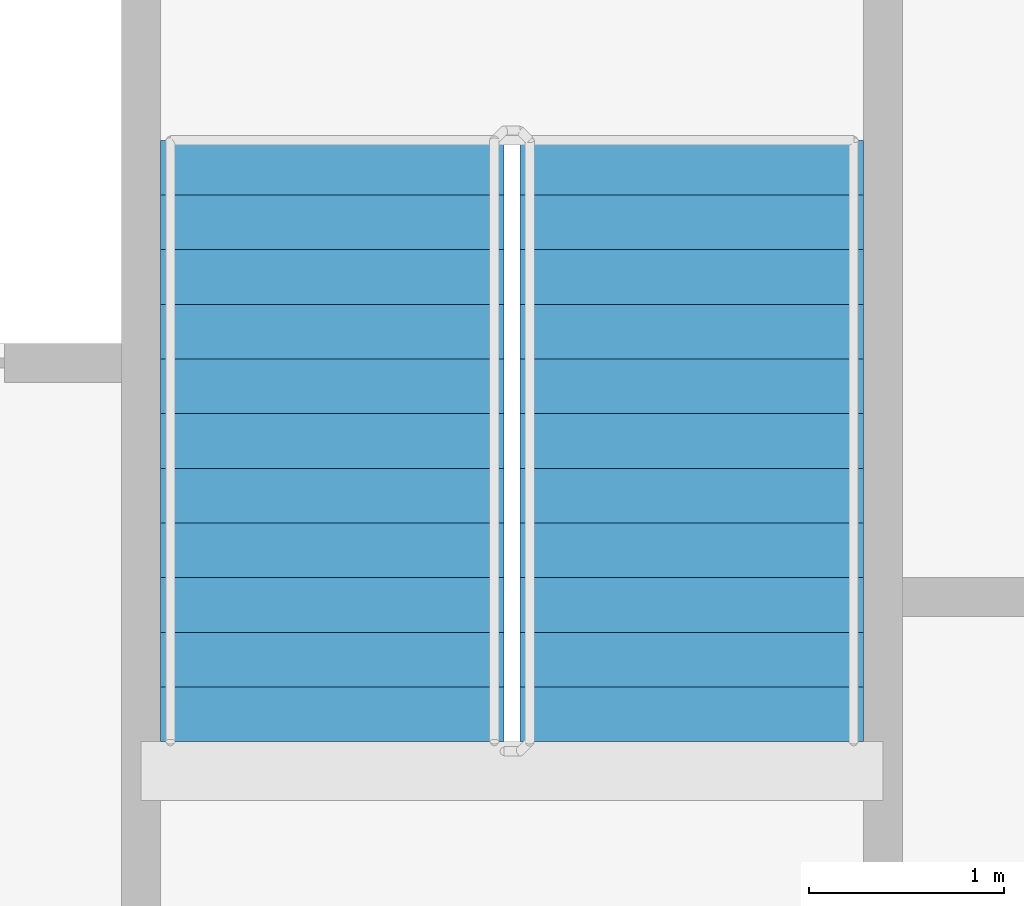
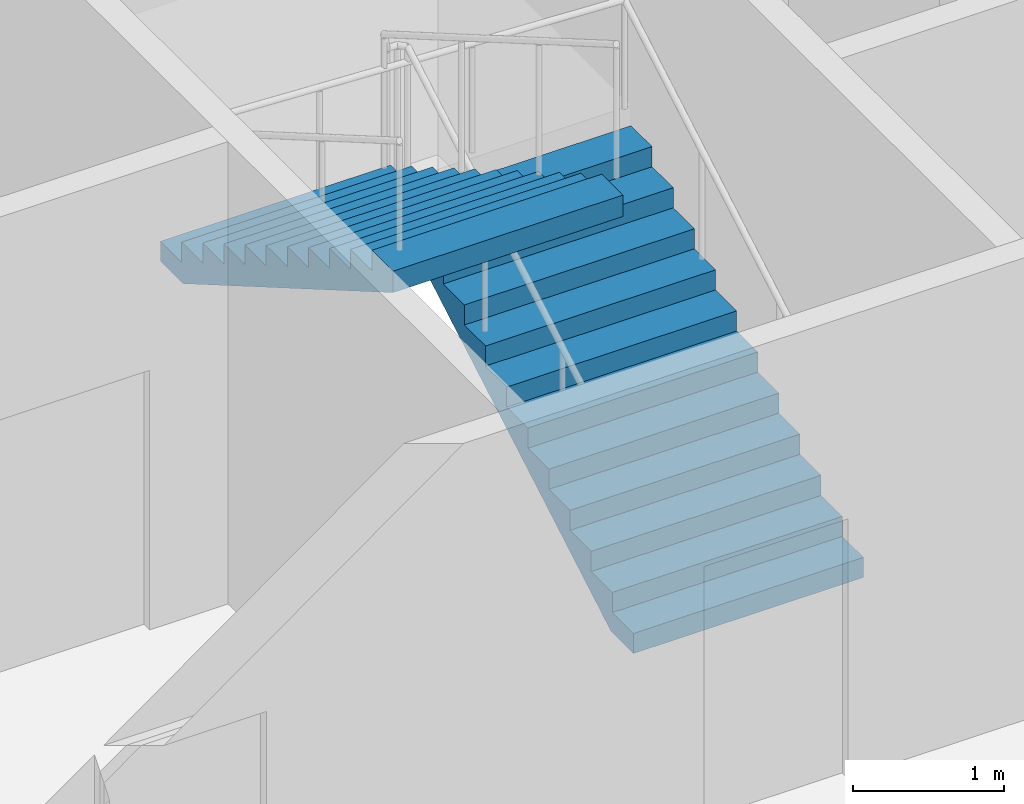
# One storey, part 17 of 22: 2 stair flights, 1 element without a shape of its own.
"""IFC4 building model written with IfcOpenShell, lengths in metres."""

from ifc_helpers import new_model, si_unit, direction, frame, origin, place, context, subcontext, project, spatial, faceted_brep, material, type_object, element, aggregate, save


model = new_model("IFC4")

# Units and contexts
model_context = context("Model", 3, precision=1e-05, world=origin(), true_north=direction((0.0, 1.0)))
body_context = subcontext(model_context, "Body", "Model", "MODEL_VIEW")
ifc_project = project(units=[si_unit("LENGTHUNIT", "METRE"), si_unit("AREAUNIT", "SQUARE_METRE"), si_unit("VOLUMEUNIT", "CUBIC_METRE"), si_unit("PLANEANGLEUNIT", "RADIAN"), si_unit("MASSUNIT", "GRAM", prefix="KILO")], contexts=[model_context])

# Site, building, storey
site_placement = place(None, origin())
site = spatial("IfcSite", under=ifc_project, at=site_placement, CompositionType="ELEMENT")
building_placement = place(site_placement, origin())
building = spatial("IfcBuilding", under=site, at=building_placement, Name="Tarsis Ring Headquarters", CompositionType="ELEMENT")
storey_placement = place(building_placement, frame((0.0, 0.0, 40.0)))
storey = spatial("IfcBuildingStorey", under=building, at=storey_placement, Name="L07", CompositionType="ELEMENT", Elevation=40.0)

# Stair, stair flights
ifc_material_1 = material(Name="Core stair 1760")
stair_type = type_object("IfcStairType", Name="Core stair 1760", PredefinedType="HALF_TURN_STAIR", material=ifc_material_1)
stair_placement = place(storey_placement, origin())
stair = element("IfcStair", 1, at=stair_placement, inside=storey, type_object=stair_type, Name="L07 Exit stair B", PredefinedType="HALF_TURN_STAIR")
ifc_material_2 = material(Name="Concrete C40/50", Category="concrete")
stair_flight_type = type_object("IfcStairFlightType", Name="Core stair flight 1760", PredefinedType="STRAIGHT", material=ifc_material_2)
stair_flight_1_placement = place(storey_placement, frame((5.419921875, 3.659912109375, 0.0), z_axis=(0.0, 0.0, 1.0), x_axis=(0.0, 1.0, 0.0)))
stair_flight_1 = element("IfcStairFlight", 2, at=stair_flight_1_placement, type_object=stair_flight_type, Name="Stair ST2 flight 1", NumberOfRisers=12, NumberOfTreads=11, PredefinedType="STRAIGHT", RiserHeight=0.1625, TreadLength=0.28, context=body_context, shape_type="Brep", body=[
    faceted_brep([(0.0, 0.8798828125, 0.0), (0.0, 0.8798828125, 0.16259765625), (0.280029296875, 0.8798828125, 0.16259765625), (0.280029296875, 0.8798828125, 0.324951171875), (0.56005859375, 0.8798828125, 0.324951171875), (0.56005859375, 0.8798828125, 0.487548828125), (0.840087890625, 0.8798828125, 0.487548828125), (0.840087890625, 0.8798828125, 0.64990234375), (1.1201171875, 0.8798828125, 0.64990234375), (1.1201171875, 0.8798828125, 0.8125), (1.39990234375, 0.8798828125, 0.8125), (1.39990234375, 0.8798828125, 0.97509765625), (1.679931640625, 0.8798828125, 0.97509765625), (1.679931640625, 0.8798828125, 1.137451171875), (1.9599609375, 0.8798828125, 1.137451171875), (1.9599609375, 0.8798828125, 1.300048828125), (2.239990234375, 0.8798828125, 1.300048828125), (2.239990234375, 0.8798828125, 1.46240234375), (2.52001953125, 0.8798828125, 1.46240234375), (2.52001953125, 0.8798828125, 1.625), (2.800048828125, 0.8798828125, 1.625), (2.800048828125, 0.8798828125, 1.78759765625), (3.080078125, 0.8798828125, 1.78759765625), (3.080078125, 0.8798828125, 1.6142578125), (0.298583984375, 0.8798828125, 0.0), (0.298583984375, -0.8798828125, 0.0), (3.080078125, -0.8798828125, 1.6142578125), (3.080078125, -0.8798828125, 1.78759765625), (2.800048828125, -0.8798828125, 1.78759765625), (2.800048828125, -0.8798828125, 1.625), (2.52001953125, -0.8798828125, 1.625), (2.52001953125, -0.8798828125, 1.46240234375), (2.239990234375, -0.8798828125, 1.46240234375), (2.239990234375, -0.8798828125, 1.300048828125), (1.9599609375, -0.8798828125, 1.300048828125), (1.9599609375, -0.8798828125, 1.137451171875), (1.679931640625, -0.8798828125, 1.137451171875), (1.679931640625, -0.8798828125, 0.97509765625), (1.39990234375, -0.8798828125, 0.97509765625), (1.39990234375, -0.8798828125, 0.8125), (1.1201171875, -0.8798828125, 0.8125), (1.1201171875, -0.8798828125, 0.64990234375), (0.840087890625, -0.8798828125, 0.64990234375), (0.840087890625, -0.8798828125, 0.487548828125), (0.56005859375, -0.8798828125, 0.487548828125), (0.56005859375, -0.8798828125, 0.324951171875), (0.280029296875, -0.8798828125, 0.324951171875), (0.280029296875, -0.8798828125, 0.16259765625), (0.0, -0.8798828125, 0.16259765625), (0.0, -0.8798828125, 0.0), (0.0, -0.43994140625, 0.16259765625), (0.0, -0.43994140625, 0.0), (0.0, 0.0, 0.16259765625), (0.0, 0.0, 0.0), (0.0, 0.43994140625, 0.16259765625), (0.0, 0.43994140625, 0.0), (0.280029296875, -0.43994140625, 0.16259765625), (0.280029296875, 0.0, 0.16259765625), (0.280029296875, 0.43994140625, 0.16259765625), (0.280029296875, -0.43994140625, 0.324951171875), (0.280029296875, 0.0, 0.324951171875), (0.280029296875, 0.43994140625, 0.324951171875), (0.56005859375, -0.43994140625, 0.324951171875), (0.56005859375, 0.0, 0.324951171875), (0.56005859375, 0.43994140625, 0.324951171875), (0.56005859375, -0.43994140625, 0.487548828125), (0.56005859375, 0.0, 0.487548828125), (0.56005859375, 0.43994140625, 0.487548828125), (0.840087890625, -0.43994140625, 0.487548828125), (0.840087890625, 0.0, 0.487548828125), (0.840087890625, 0.43994140625, 0.487548828125), (0.840087890625, -0.43994140625, 0.64990234375), (0.840087890625, 0.0, 0.64990234375), (0.840087890625, 0.43994140625, 0.64990234375), (1.1201171875, -0.43994140625, 0.64990234375), (1.1201171875, 0.0, 0.64990234375), (1.1201171875, 0.43994140625, 0.64990234375), (1.1201171875, -0.43994140625, 0.8125), (1.1201171875, 0.0, 0.8125), (1.1201171875, 0.43994140625, 0.8125), (1.39990234375, -0.43994140625, 0.8125), (1.39990234375, 0.0, 0.8125), (1.39990234375, 0.43994140625, 0.8125), (1.39990234375, -0.43994140625, 0.97509765625), (1.39990234375, 0.0, 0.97509765625), (1.39990234375, 0.43994140625, 0.97509765625), (1.679931640625, -0.43994140625, 0.97509765625), (1.679931640625, 0.0, 0.97509765625), (1.679931640625, 0.43994140625, 0.97509765625), (1.679931640625, -0.43994140625, 1.137451171875), (1.679931640625, 0.0, 1.137451171875), (1.679931640625, 0.43994140625, 1.137451171875), (1.9599609375, -0.43994140625, 1.137451171875), (1.9599609375, 0.0, 1.137451171875), (1.9599609375, 0.43994140625, 1.137451171875), (1.9599609375, -0.43994140625, 1.300048828125), (1.9599609375, 0.0, 1.300048828125), (1.9599609375, 0.43994140625, 1.300048828125), (2.239990234375, -0.43994140625, 1.300048828125), (2.239990234375, 0.0, 1.300048828125), (2.239990234375, 0.43994140625, 1.300048828125), (2.239990234375, -0.43994140625, 1.46240234375), (2.239990234375, 0.0, 1.46240234375), (2.239990234375, 0.43994140625, 1.46240234375), (2.52001953125, -0.43994140625, 1.46240234375), (2.52001953125, 0.0, 1.46240234375), (2.52001953125, 0.43994140625, 1.46240234375), (2.52001953125, -0.43994140625, 1.625), (2.52001953125, 0.0, 1.625), (2.52001953125, 0.43994140625, 1.625), (2.800048828125, -0.43994140625, 1.625), (2.800048828125, 0.0, 1.625), (2.800048828125, 0.43994140625, 1.625), (2.800048828125, -0.43994140625, 1.78759765625), (2.800048828125, 0.0, 1.78759765625), (2.800048828125, 0.43994140625, 1.78759765625), (3.080078125, -0.43994140625, 1.78759765625), (3.080078125, 0.0, 1.78759765625), (3.080078125, 0.43994140625, 1.78759765625), (3.080078125, -0.43994140625, 1.6142578125), (3.080078125, 0.0, 1.6142578125), (3.080078125, 0.43994140625, 1.6142578125), (0.298583984375, -0.43994140625, 0.0), (0.298583984375, 0.0, 0.0), (0.298583984375, 0.43994140625, 0.0)], [[[0, 1, 2, 3, 4, 5, 6, 7, 8, 9, 10, 11, 12, 13, 14, 15, 16, 17, 18, 19, 20, 21, 22, 23, 24]], [[25, 26, 27, 28, 29, 30, 31, 32, 33, 34, 35, 36, 37, 38, 39, 40, 41, 42, 43, 44, 45, 46, 47, 48, 49]], [[49, 48, 50, 51]], [[51, 50, 52, 53]], [[53, 52, 54, 55]], [[55, 54, 1, 0]], [[48, 47, 56, 50]], [[50, 56, 57, 52]], [[52, 57, 58, 54]], [[54, 58, 2, 1]], [[47, 46, 59, 56]], [[56, 59, 60, 57]], [[57, 60, 61, 58]], [[58, 61, 3, 2]], [[46, 45, 62, 59]], [[59, 62, 63, 60]], [[60, 63, 64, 61]], [[61, 64, 4, 3]], [[45, 44, 65, 62]], [[62, 65, 66, 63]], [[63, 66, 67, 64]], [[64, 67, 5, 4]], [[44, 43, 68, 65]], [[65, 68, 69, 66]], [[66, 69, 70, 67]], [[67, 70, 6, 5]], [[43, 42, 71, 68]], [[68, 71, 72, 69]], [[69, 72, 73, 70]], [[70, 73, 7, 6]], [[42, 41, 74, 71]], [[71, 74, 75, 72]], [[72, 75, 76, 73]], [[73, 76, 8, 7]], [[41, 40, 77, 74]], [[74, 77, 78, 75]], [[75, 78, 79, 76]], [[76, 79, 9, 8]], [[40, 39, 80, 77]], [[77, 80, 81, 78]], [[78, 81, 82, 79]], [[79, 82, 10, 9]], [[39, 38, 83, 80]], [[80, 83, 84, 81]], [[81, 84, 85, 82]], [[82, 85, 11, 10]], [[38, 37, 86, 83]], [[83, 86, 87, 84]], [[84, 87, 88, 85]], [[85, 88, 12, 11]], [[37, 36, 89, 86]], [[86, 89, 90, 87]], [[87, 90, 91, 88]], [[88, 91, 13, 12]], [[36, 35, 92, 89]], [[89, 92, 93, 90]], [[90, 93, 94, 91]], [[91, 94, 14, 13]], [[35, 34, 95, 92]], [[92, 95, 96, 93]], [[93, 96, 97, 94]], [[94, 97, 15, 14]], [[34, 33, 98, 95]], [[95, 98, 99, 96]], [[96, 99, 100, 97]], [[97, 100, 16, 15]], [[33, 32, 101, 98]], [[98, 101, 102, 99]], [[99, 102, 103, 100]], [[100, 103, 17, 16]], [[32, 31, 104, 101]], [[101, 104, 105, 102]], [[102, 105, 106, 103]], [[103, 106, 18, 17]], [[31, 30, 107, 104]], [[104, 107, 108, 105]], [[105, 108, 109, 106]], [[106, 109, 19, 18]], [[30, 29, 110, 107]], [[107, 110, 111, 108]], [[108, 111, 112, 109]], [[109, 112, 20, 19]], [[29, 28, 113, 110]], [[110, 113, 114, 111]], [[111, 114, 115, 112]], [[112, 115, 21, 20]], [[28, 27, 116, 113]], [[113, 116, 117, 114]], [[114, 117, 118, 115]], [[115, 118, 22, 21]], [[27, 26, 119, 116]], [[116, 119, 120, 117]], [[117, 120, 121, 118]], [[118, 121, 23, 22]], [[26, 25, 122, 119]], [[119, 122, 123, 120]], [[120, 123, 124, 121]], [[121, 124, 24, 23]], [[25, 49, 51, 122]], [[122, 51, 53, 123]], [[123, 53, 55, 124]], [[124, 55, 0, 24]]]),
])
stair_flight_2_placement = place(storey_placement, frame((3.580078125, 6.739990234375, 1.949951171875), z_axis=(0.0, 0.0, 1.0), x_axis=(0.0, -1.0, 0.0)))
stair_flight_2 = element("IfcStairFlight", 3, at=stair_flight_2_placement, type_object=stair_flight_type, Name="Stair ST2 flight 2", NumberOfRisers=12, NumberOfTreads=11, PredefinedType="STRAIGHT", RiserHeight=0.1625, TreadLength=0.28, context=body_context, shape_type="Brep", body=[
    faceted_brep([(0.0, 0.8798828125, 0.0), (0.0, 0.8798828125, 0.16259765625), (0.280029296875, 0.8798828125, 0.16259765625), (0.280029296875, 0.8798828125, 0.324951171875), (0.56005859375, 0.8798828125, 0.324951171875), (0.56005859375, 0.8798828125, 0.487548828125), (0.840087890625, 0.8798828125, 0.487548828125), (0.840087890625, 0.8798828125, 0.64990234375), (1.1201171875, 0.8798828125, 0.64990234375), (1.1201171875, 0.8798828125, 0.8125), (1.39990234375, 0.8798828125, 0.8125), (1.39990234375, 0.8798828125, 0.97509765625), (1.679931640625, 0.8798828125, 0.97509765625), (1.679931640625, 0.8798828125, 1.137451171875), (1.9599609375, 0.8798828125, 1.137451171875), (1.9599609375, 0.8798828125, 1.300048828125), (2.239990234375, 0.8798828125, 1.300048828125), (2.239990234375, 0.8798828125, 1.46240234375), (2.52001953125, 0.8798828125, 1.46240234375), (2.52001953125, 0.8798828125, 1.625), (2.800048828125, 0.8798828125, 1.625), (2.800048828125, 0.8798828125, 1.78759765625), (3.080078125, 0.8798828125, 1.78759765625), (3.080078125, 0.8798828125, 1.6142578125), (0.298583984375, 0.8798828125, 0.0), (0.298583984375, -0.8798828125, 0.0), (3.080078125, -0.8798828125, 1.6142578125), (3.080078125, -0.8798828125, 1.78759765625), (2.800048828125, -0.8798828125, 1.78759765625), (2.800048828125, -0.8798828125, 1.625), (2.52001953125, -0.8798828125, 1.625), (2.52001953125, -0.8798828125, 1.46240234375), (2.239990234375, -0.8798828125, 1.46240234375), (2.239990234375, -0.8798828125, 1.300048828125), (1.9599609375, -0.8798828125, 1.300048828125), (1.9599609375, -0.8798828125, 1.137451171875), (1.679931640625, -0.8798828125, 1.137451171875), (1.679931640625, -0.8798828125, 0.97509765625), (1.39990234375, -0.8798828125, 0.97509765625), (1.39990234375, -0.8798828125, 0.8125), (1.1201171875, -0.8798828125, 0.8125), (1.1201171875, -0.8798828125, 0.64990234375), (0.840087890625, -0.8798828125, 0.64990234375), (0.840087890625, -0.8798828125, 0.487548828125), (0.56005859375, -0.8798828125, 0.487548828125), (0.56005859375, -0.8798828125, 0.324951171875), (0.280029296875, -0.8798828125, 0.324951171875), (0.280029296875, -0.8798828125, 0.16259765625), (0.0, -0.8798828125, 0.16259765625), (0.0, -0.8798828125, 0.0), (0.0, -0.43994140625, 0.16259765625), (0.0, -0.43994140625, 0.0), (0.0, 0.0, 0.16259765625), (0.0, 0.0, 0.0), (0.0, 0.43994140625, 0.16259765625), (0.0, 0.43994140625, 0.0), (0.280029296875, -0.43994140625, 0.16259765625), (0.280029296875, 0.0, 0.16259765625), (0.280029296875, 0.43994140625, 0.16259765625), (0.280029296875, -0.43994140625, 0.324951171875), (0.280029296875, 0.0, 0.324951171875), (0.280029296875, 0.43994140625, 0.324951171875), (0.56005859375, -0.43994140625, 0.324951171875), (0.56005859375, 0.0, 0.324951171875), (0.56005859375, 0.43994140625, 0.324951171875), (0.56005859375, -0.43994140625, 0.487548828125), (0.56005859375, 0.0, 0.487548828125), (0.56005859375, 0.43994140625, 0.487548828125), (0.840087890625, -0.43994140625, 0.487548828125), (0.840087890625, 0.0, 0.487548828125), (0.840087890625, 0.43994140625, 0.487548828125), (0.840087890625, -0.43994140625, 0.64990234375), (0.840087890625, 0.0, 0.64990234375), (0.840087890625, 0.43994140625, 0.64990234375), (1.1201171875, -0.43994140625, 0.64990234375), (1.1201171875, 0.0, 0.64990234375), (1.1201171875, 0.43994140625, 0.64990234375), (1.1201171875, -0.43994140625, 0.8125), (1.1201171875, 0.0, 0.8125), (1.1201171875, 0.43994140625, 0.8125), (1.39990234375, -0.43994140625, 0.8125), (1.39990234375, 0.0, 0.8125), (1.39990234375, 0.43994140625, 0.8125), (1.39990234375, -0.43994140625, 0.97509765625), (1.39990234375, 0.0, 0.97509765625), (1.39990234375, 0.43994140625, 0.97509765625), (1.679931640625, -0.43994140625, 0.97509765625), (1.679931640625, 0.0, 0.97509765625), (1.679931640625, 0.43994140625, 0.97509765625), (1.679931640625, -0.43994140625, 1.137451171875), (1.679931640625, 0.0, 1.137451171875), (1.679931640625, 0.43994140625, 1.137451171875), (1.9599609375, -0.43994140625, 1.137451171875), (1.9599609375, 0.0, 1.137451171875), (1.9599609375, 0.43994140625, 1.137451171875), (1.9599609375, -0.43994140625, 1.300048828125), (1.9599609375, 0.0, 1.300048828125), (1.9599609375, 0.43994140625, 1.300048828125), (2.239990234375, -0.43994140625, 1.300048828125), (2.239990234375, 0.0, 1.300048828125), (2.239990234375, 0.43994140625, 1.300048828125), (2.239990234375, -0.43994140625, 1.46240234375), (2.239990234375, 0.0, 1.46240234375), (2.239990234375, 0.43994140625, 1.46240234375), (2.52001953125, -0.43994140625, 1.46240234375), (2.52001953125, 0.0, 1.46240234375), (2.52001953125, 0.43994140625, 1.46240234375), (2.52001953125, -0.43994140625, 1.625), (2.52001953125, 0.0, 1.625), (2.52001953125, 0.43994140625, 1.625), (2.800048828125, -0.43994140625, 1.625), (2.800048828125, 0.0, 1.625), (2.800048828125, 0.43994140625, 1.625), (2.800048828125, -0.43994140625, 1.78759765625), (2.800048828125, 0.0, 1.78759765625), (2.800048828125, 0.43994140625, 1.78759765625), (3.080078125, -0.43994140625, 1.78759765625), (3.080078125, 0.0, 1.78759765625), (3.080078125, 0.43994140625, 1.78759765625), (3.080078125, -0.43994140625, 1.6142578125), (3.080078125, 0.0, 1.6142578125), (3.080078125, 0.43994140625, 1.6142578125), (0.298583984375, -0.43994140625, 0.0), (0.298583984375, 0.0, 0.0), (0.298583984375, 0.43994140625, 0.0)], [[[0, 1, 2, 3, 4, 5, 6, 7, 8, 9, 10, 11, 12, 13, 14, 15, 16, 17, 18, 19, 20, 21, 22, 23, 24]], [[25, 26, 27, 28, 29, 30, 31, 32, 33, 34, 35, 36, 37, 38, 39, 40, 41, 42, 43, 44, 45, 46, 47, 48, 49]], [[49, 48, 50, 51]], [[51, 50, 52, 53]], [[53, 52, 54, 55]], [[55, 54, 1, 0]], [[48, 47, 56, 50]], [[50, 56, 57, 52]], [[52, 57, 58, 54]], [[54, 58, 2, 1]], [[47, 46, 59, 56]], [[56, 59, 60, 57]], [[57, 60, 61, 58]], [[58, 61, 3, 2]], [[46, 45, 62, 59]], [[59, 62, 63, 60]], [[60, 63, 64, 61]], [[61, 64, 4, 3]], [[45, 44, 65, 62]], [[62, 65, 66, 63]], [[63, 66, 67, 64]], [[64, 67, 5, 4]], [[44, 43, 68, 65]], [[65, 68, 69, 66]], [[66, 69, 70, 67]], [[67, 70, 6, 5]], [[43, 42, 71, 68]], [[68, 71, 72, 69]], [[69, 72, 73, 70]], [[70, 73, 7, 6]], [[42, 41, 74, 71]], [[71, 74, 75, 72]], [[72, 75, 76, 73]], [[73, 76, 8, 7]], [[41, 40, 77, 74]], [[74, 77, 78, 75]], [[75, 78, 79, 76]], [[76, 79, 9, 8]], [[40, 39, 80, 77]], [[77, 80, 81, 78]], [[78, 81, 82, 79]], [[79, 82, 10, 9]], [[39, 38, 83, 80]], [[80, 83, 84, 81]], [[81, 84, 85, 82]], [[82, 85, 11, 10]], [[38, 37, 86, 83]], [[83, 86, 87, 84]], [[84, 87, 88, 85]], [[85, 88, 12, 11]], [[37, 36, 89, 86]], [[86, 89, 90, 87]], [[87, 90, 91, 88]], [[88, 91, 13, 12]], [[36, 35, 92, 89]], [[89, 92, 93, 90]], [[90, 93, 94, 91]], [[91, 94, 14, 13]], [[35, 34, 95, 92]], [[92, 95, 96, 93]], [[93, 96, 97, 94]], [[94, 97, 15, 14]], [[34, 33, 98, 95]], [[95, 98, 99, 96]], [[96, 99, 100, 97]], [[97, 100, 16, 15]], [[33, 32, 101, 98]], [[98, 101, 102, 99]], [[99, 102, 103, 100]], [[100, 103, 17, 16]], [[32, 31, 104, 101]], [[101, 104, 105, 102]], [[102, 105, 106, 103]], [[103, 106, 18, 17]], [[31, 30, 107, 104]], [[104, 107, 108, 105]], [[105, 108, 109, 106]], [[106, 109, 19, 18]], [[30, 29, 110, 107]], [[107, 110, 111, 108]], [[108, 111, 112, 109]], [[109, 112, 20, 19]], [[29, 28, 113, 110]], [[110, 113, 114, 111]], [[111, 114, 115, 112]], [[112, 115, 21, 20]], [[28, 27, 116, 113]], [[113, 116, 117, 114]], [[114, 117, 118, 115]], [[115, 118, 22, 21]], [[27, 26, 119, 116]], [[116, 119, 120, 117]], [[117, 120, 121, 118]], [[118, 121, 23, 22]], [[26, 25, 122, 119]], [[119, 122, 123, 120]], [[120, 123, 124, 121]], [[121, 124, 24, 23]], [[25, 49, 51, 122]], [[122, 51, 53, 123]], [[123, 53, 55, 124]], [[124, 55, 0, 24]]]),
])
aggregate(stair, [stair_flight_1, stair_flight_2])

save(model, "model.ifc")
